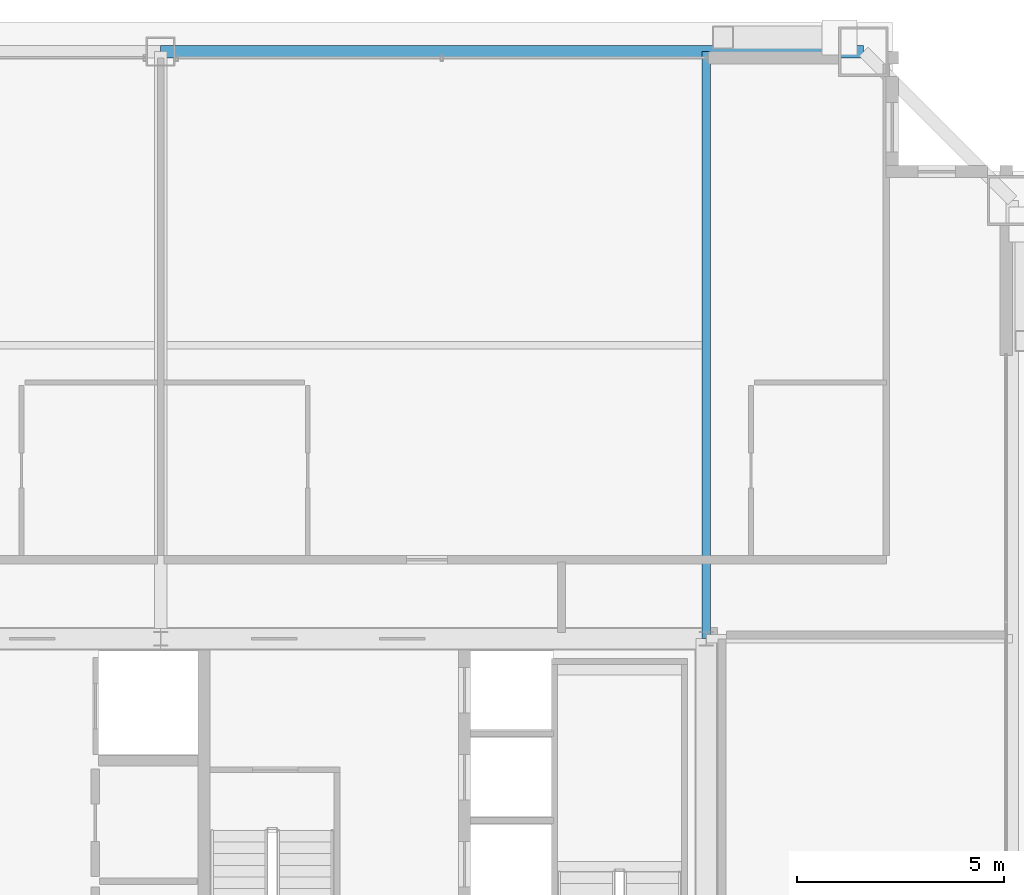
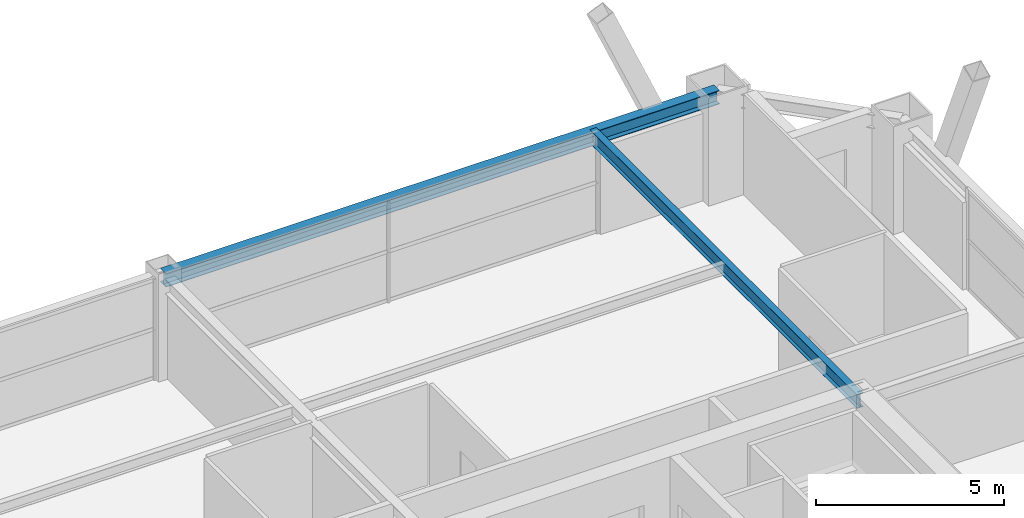
# One storey, part 28 of 35: 2 beams.
"""IFC4 building model written with IfcOpenShell, lengths in metres."""

import ifcopenshell
import ifcopenshell.guid

model = None  # the IFC model being written
_history = None  # IfcOwnerHistory: only IFC2X3 demands one
_inside = {}  # id of a spatial element -> (the spatial element, [elements in it])
_under = {}  # id of a project, library or spatial element -> (it, [spatial elements below it])
_declared = {}  # id of a project -> (the project, [libraries it declares])
_typed = {}  # id of a type object -> (the type object, [elements of that type])
_made_of = {}  # id of a material, layer set ... -> (it, [elements and type objects made of it])


def new_model(schema):
    """Start an empty IFC model of exactly this schema.

    Asked for "IFC4X3", IfcOpenShell would pick the latest addendum, in which some entities
    have other attributes; the version numbers below select the first issue.
    IFC2X3 requires an IfcOwnerHistory on every rooted entity: one is made here for all.
    """
    global model, _history
    if schema == "IFC4X3":
        model = ifcopenshell.file(schema_version=(4, 3, 0, 0))
    else:
        model = ifcopenshell.file(schema=schema)
    _inside.clear()
    _under.clear()
    _declared.clear()
    _typed.clear()
    _made_of.clear()
    _history = None
    if model.schema == "IFC2X3":
        org = make("IfcOrganization", Name="unknown")
        user = make(
            "IfcPersonAndOrganization",
            ThePerson=make("IfcPerson", FamilyName="unknown"),
            TheOrganization=org,
        )
        app = make(
            "IfcApplication",
            ApplicationDeveloper=org,
            Version="unknown",
            ApplicationFullName="unknown",
            ApplicationIdentifier="unknown",
        )
        _history = make(
            "IfcOwnerHistory",
            OwningUser=user,
            OwningApplication=app,
            ChangeAction="ADDED",
            CreationDate=0,
        )
    return model


def make(cls, **values):
    """One entity of the class cls with the attributes given. An attribute that is None is left unset."""
    return model.create_entity(
        cls, **{name: value for name, value in values.items() if value is not None}
    )


def rooted(cls, **values):
    """An entity with a GlobalId (a new one), such as an element, a storey or a relation."""
    return make(cls, GlobalId=ifcopenshell.guid.new(), OwnerHistory=_history, **values)


def si_unit(unit_type, name, prefix=None):
    """IfcSIUnit, for example si_unit("LENGTHUNIT", "METRE", prefix="MILLI")."""
    return make("IfcSIUnit", UnitType=unit_type, Prefix=prefix, Name=name)


def assignment(units):
    """IfcUnitAssignment: the units of a project."""
    return None if units is None else make("IfcUnitAssignment", Units=units)


def point(xyz):
    """IfcCartesianPoint."""
    return None if xyz is None else make("IfcCartesianPoint", Coordinates=xyz)


def direction(xyz):
    """IfcDirection."""
    return None if xyz is None else make("IfcDirection", DirectionRatios=xyz)


def frame(location, z_axis=None, x_axis=None):
    """IfcAxis2Placement3D, a coordinate frame: its origin and axes. An axis left out is left unset."""
    return make(
        "IfcAxis2Placement3D",
        Location=point(location),
        Axis=direction(z_axis),
        RefDirection=direction(x_axis),
    )


def frame_2d(location, x_axis=None):
    """IfcAxis2Placement2D, a coordinate frame in the plane: its origin and x axis."""
    return make(
        "IfcAxis2Placement2D", Location=point(location), RefDirection=direction(x_axis)
    )


def origin():
    """The frame at (0, 0, 0) with its axes left unset."""
    return frame((0.0, 0.0, 0.0))


def origin_2d():
    """The frame at (0, 0) in the plane with its x axis left unset."""
    return frame_2d((0.0, 0.0))


def place(relative_to, where):
    """IfcLocalPlacement: puts the frame where relative to a parent placement (None: the world)."""
    return make(
        "IfcLocalPlacement", PlacementRelTo=relative_to, RelativePlacement=where
    )


def context(
    kind, dimensions, precision=None, world=None, true_north=None, identifier=None
):
    """IfcGeometricRepresentationContext, for example the 3D "Model" context."""
    return make(
        "IfcGeometricRepresentationContext",
        ContextIdentifier=identifier,
        ContextType=kind,
        CoordinateSpaceDimension=dimensions,
        Precision=precision,
        WorldCoordinateSystem=world,
        TrueNorth=true_north,
    )


def subcontext(parent, identifier, kind, view, scale=None):
    """IfcGeometricRepresentationSubContext, for example "Body" below "Model"."""
    return make(
        "IfcGeometricRepresentationSubContext",
        ContextIdentifier=identifier,
        ContextType=kind,
        ParentContext=parent,
        TargetScale=scale,
        TargetView=view,
    )


def project(units=None, contexts=None):
    """IfcProject with its units and contexts."""
    return rooted(
        "IfcProject",
        Name="project",
        RepresentationContexts=contexts,
        UnitsInContext=assignment(units),
    )


def spatial(cls, under=None, at=None, **own):
    """A site, building, storey or space (cls), placed at a placement, below another one or the project."""
    s = rooted(cls, ObjectPlacement=at, **own)
    if under is not None:
        _under.setdefault(under.id(), (under, []))[1].append(s)
    return s


def profile(cls, at=None, kind="AREA", **sizes):
    """A parametric profile (cls). Its sizes go by their IFC names, for example OverallWidth=200.0."""
    return make(cls, ProfileType=kind, Position=at, **sizes)


def i_section(**sizes):
    """IfcIShapeProfileDef."""
    return profile("IfcIShapeProfileDef", **sizes)


def extrude(swept, where, along, depth):
    """IfcExtrudedAreaSolid: the profile swept, set in the frame where, extruded along a direction by depth."""
    return make(
        "IfcExtrudedAreaSolid",
        SweptArea=swept,
        Position=where,
        ExtrudedDirection=direction(along),
        Depth=depth,
    )


def shape(context_of_items, identifier, shape_type, items):
    """IfcShapeRepresentation: the items that make up one representation, for example the "Body"."""
    return make(
        "IfcShapeRepresentation",
        ContextOfItems=context_of_items,
        RepresentationIdentifier=identifier,
        RepresentationType=shape_type,
        Items=items,
    )


def source(mapping_origin, context_of_items, identifier, shape_type, items):
    """IfcRepresentationMap: a shape defined once, which mapped items show again and again."""
    return make(
        "IfcRepresentationMap",
        MappingOrigin=mapping_origin,
        MappedRepresentation=shape(context_of_items, identifier, shape_type, items),
    )


def transform(
    local_origin,
    x_axis=None,
    y_axis=None,
    z_axis=None,
    scale=None,
    scale2=None,
    scale3=None,
    uniform=True,
):
    """IfcCartesianTransformationOperator3D, or its non-uniform kind. x_axis, y_axis, z_axis: its Axis1, 2, 3."""
    if uniform:
        return make(
            "IfcCartesianTransformationOperator3D",
            Axis1=direction(x_axis),
            Axis2=direction(y_axis),
            LocalOrigin=point(local_origin),
            Scale=scale,
            Axis3=direction(z_axis),
        )
    return make(
        "IfcCartesianTransformationOperator3DnonUniform",
        Axis1=direction(x_axis),
        Axis2=direction(y_axis),
        LocalOrigin=point(local_origin),
        Scale=scale,
        Axis3=direction(z_axis),
        Scale2=scale2,
        Scale3=scale3,
    )


def mapped(mapping_source, mapping_target):
    """IfcMappedItem: shows the shape of a source again, moved by a transform."""
    return make(
        "IfcMappedItem", MappingSource=mapping_source, MappingTarget=mapping_target
    )


def material(Name=None, Category=None):
    """IfcMaterial."""
    return make("IfcMaterial", Name=Name, Category=Category)


def material_profile(
    of_material, cross_section, Name=None, Category=None, Priority=None
):
    """IfcMaterialProfile: a cross section and its material."""
    return make(
        "IfcMaterialProfile",
        Name=Name,
        Material=of_material,
        Profile=cross_section,
        Priority=Priority,
        Category=Category,
    )


def profile_set(profiles, Name=None, composite=None):
    """IfcMaterialProfileSet."""
    return make(
        "IfcMaterialProfileSet",
        Name=Name,
        MaterialProfiles=profiles,
        CompositeProfile=composite,
    )


def made_of(thing, what):
    """Note that an element or type object is made of a material, layer set ...; save() writes the relation."""
    if what is not None:
        _made_of.setdefault(what.id(), (what, []))[1].append(thing)
    return thing


def type_object(cls, material=None, **own):
    """A type object (cls), such as IfcWallType, which elements share."""
    return made_of(rooted(cls, **own), material)


def element(
    cls,
    number,
    at=None,
    inside=None,
    cuts=None,
    type_object=None,
    material=None,
    context=None,
    identifier="Body",
    shape_type=None,
    held_by="IfcProductDefinitionShape",
    body=None,
    shapes=None,
    **own,
):
    """One element of the class cls, such as IfcWall. Its Tag is "e" and its number.

    at: its placement. inside: the storey or other place that contains it. cuts: it is an
    opening in that element (IfcRelVoidsElement). A single representation is given by context,
    identifier, shape_type and body (its items); several are given by shapes. held_by: the class
    of the entity that holds the representations. save() writes the other relations.
    """
    e = rooted(cls, Tag="e%d" % number, ObjectPlacement=at, **own)
    if body is not None:
        shapes = [shape(context, identifier, shape_type, body)]
    if shapes is not None:
        e.Representation = make(held_by, Representations=shapes)
    if inside is not None:
        _inside.setdefault(inside.id(), (inside, []))[1].append(e)
    if cuts is not None:
        rooted(
            "IfcRelVoidsElement", RelatingBuildingElement=cuts, RelatedOpeningElement=e
        )
    if type_object is not None:
        _typed.setdefault(type_object.id(), (type_object, []))[1].append(e)
    return made_of(e, material)


def aggregate(whole, parts):
    """IfcRelAggregates: a whole, such as a stair, and the parts it consists of."""
    return rooted("IfcRelAggregates", RelatingObject=whole, RelatedObjects=parts)


def save(model, path):
    """Write the relations noted so far, then the file.

    IfcRelAggregates (storeys below a building ...), IfcRelContainedInSpatialStructure (elements
    in a storey), IfcRelDefinesByType, IfcRelAssociatesMaterial and IfcRelDeclares: one each for
    every whole, place, type object, material and project.
    """
    for whole, parts in _under.values():
        aggregate(whole, parts)
    for where, things in _inside.values():
        rooted(
            "IfcRelContainedInSpatialStructure",
            RelatedElements=things,
            RelatingStructure=where,
        )
    for kind, things in _typed.values():
        rooted("IfcRelDefinesByType", RelatedObjects=things, RelatingType=kind)
    for what, things in _made_of.values():
        rooted("IfcRelAssociatesMaterial", RelatedObjects=things, RelatingMaterial=what)
    for by, libraries in _declared.values():
        rooted("IfcRelDeclares", RelatingContext=by, RelatedDefinitions=libraries)
    model.write(path)


model = new_model("IFC4")

# Units and contexts
model_context = context("Model", 3, precision=1e-05, world=origin(), true_north=direction((0.0, 1.0)))
body_context = subcontext(model_context, "Body", "Model", "MODEL_VIEW")
ifc_project = project(units=[si_unit("LENGTHUNIT", "METRE"), si_unit("AREAUNIT", "SQUARE_METRE"), si_unit("VOLUMEUNIT", "CUBIC_METRE"), si_unit("PLANEANGLEUNIT", "RADIAN"), si_unit("MASSUNIT", "GRAM", prefix="KILO"), si_unit("THERMODYNAMICTEMPERATUREUNIT", "KELVIN"), si_unit("POWERUNIT", "WATT")], contexts=[model_context])

# Site, building, storey
site_placement = place(None, origin())
site = spatial("IfcSite", under=ifc_project, at=site_placement, CompositionType="ELEMENT")
building_placement = place(site_placement, origin())
building = spatial("IfcBuilding", under=site, at=building_placement, Name="Yuzanri Waterfront Tower", CompositionType="ELEMENT")
storey_placement = place(building_placement, frame((0.0, 0.0, 271.60009765625)))
storey = spatial("IfcBuildingStorey", under=building, at=storey_placement, Name="L72", CompositionType="ELEMENT", Elevation=271.60009765625)

# Beams
ifc_material_1 = material(Name="Steel Q355B", Category="steel")
ifc_material_profile_1 = material_profile(ifc_material_1, i_section(OverallWidth=0.300048828125, OverallDepth=0.43994140625, WebThickness=0.010986328125, FlangeThickness=0.01806640625, at=origin_2d()), Name="HM 440x300x11x18")
ifc_profile_set_1 = profile_set([ifc_material_profile_1], Name="Steel Q355B")
beam_type_1 = type_object("IfcBeamType", Name="Perimeter Spandrel Q355B HM 440x300", PredefinedType="SPANDREL", material=ifc_profile_set_1)
shared_shape_1 = source(origin(), body_context, "Body", "SweptSolid", [
    extrude(i_section(OverallWidth=0.300048828125, OverallDepth=0.43994140625, WebThickness=0.010986328125, FlangeThickness=0.01806640625, at=origin_2d()), origin(), (0.0, 0.0, 1.0), 17.0),
])
beam_1_placement = place(storey_placement, frame((54.0, 46.39990234375, 3.059814453125), z_axis=(-1.0, 0.0, 0.0), x_axis=(0.0, -1.0, 0.0)))
element("IfcBeam", 1, at=beam_1_placement, inside=storey, type_object=beam_type_1, Name="L72 Perimeter Spandrel N3-N2", PredefinedType="SPANDREL", context=body_context, shape_type="MappedRepresentation", body=[
    mapped(shared_shape_1, transform((0.0, 0.0, 0.0), scale=1.0)),
])
ifc_material_2 = material(Name="Steel Q355B", Category="steel")
ifc_material_profile_2 = material_profile(ifc_material_2, i_section(OverallWidth=0.199951171875, OverallDepth=0.449951171875, WebThickness=0.009033203125, FlangeThickness=0.013916015625, at=origin_2d()), Name="HN 450x200x9x14")
ifc_profile_set_2 = profile_set([ifc_material_profile_2], Name="Steel Q355B")
beam_type_2 = type_object("IfcBeamType", Name="Secondary Floor Beam Q355B HN 450x200", PredefinedType="BEAM", material=ifc_profile_set_2)
shared_shape_2 = source(origin(), body_context, "Body", "SweptSolid", [
    extrude(i_section(OverallWidth=0.199951171875, OverallDepth=0.449951171875, WebThickness=0.009033203125, FlangeThickness=0.013916015625, at=origin_2d()), origin(), (0.0, 0.0, 1.0), 14.199951171875),
])
beam_2_placement = place(storey_placement, frame((50.199951171875, 32.199951171875, 3.054931640625), z_axis=(0.0, 1.0, 0.0), x_axis=(-1.0, 0.0, 0.0)))
element("IfcBeam", 2, at=beam_2_placement, inside=storey, type_object=beam_type_2, Name="L72 North-East Core Line Beam", PredefinedType="BEAM", context=body_context, shape_type="MappedRepresentation", body=[
    mapped(shared_shape_2, transform((0.0, 0.0, 0.0), scale=1.0)),
])

save(model, "model.ifc")
